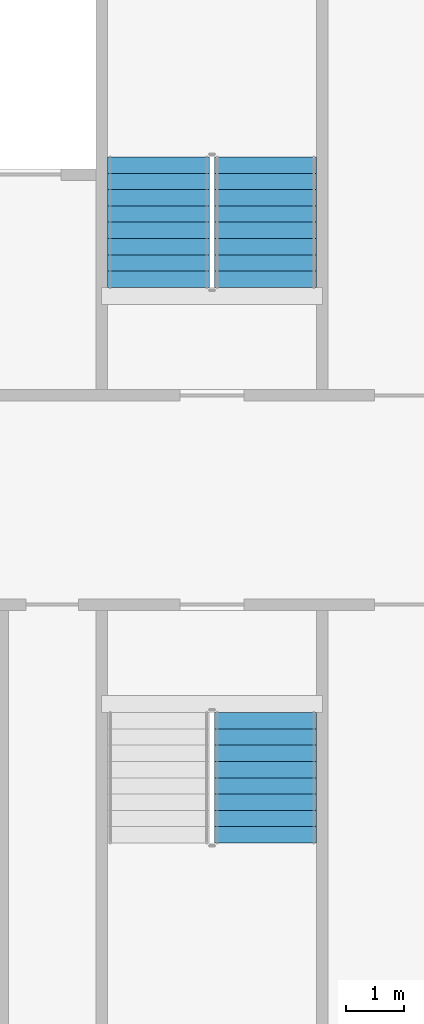
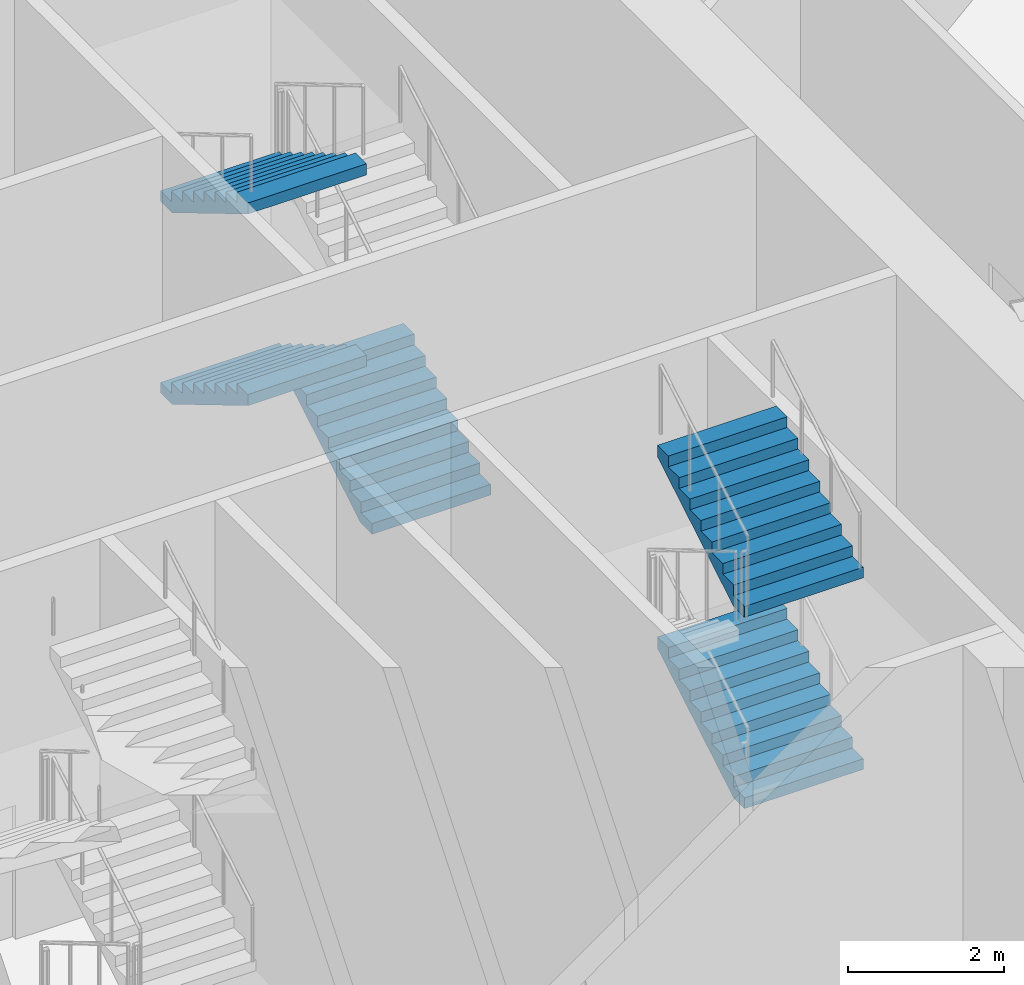
# One storey, part 32 of 39: 5 stair flights, 2 elements without a shape of their own.
"""IFC4 building model written with IfcOpenShell, lengths in metres."""

from ifc_helpers import new_model, si_unit, direction, frame, origin, place, context, subcontext, project, spatial, faceted_brep, material, type_object, element, aggregate, save


model = new_model("IFC4")

# Units and contexts
model_context = context("Model", 3, precision=1e-05, world=origin(), true_north=direction((0.0, 1.0)))
body_context = subcontext(model_context, "Body", "Model", "MODEL_VIEW")
ifc_project = project(units=[si_unit("LENGTHUNIT", "METRE"), si_unit("AREAUNIT", "SQUARE_METRE"), si_unit("VOLUMEUNIT", "CUBIC_METRE"), si_unit("PLANEANGLEUNIT", "RADIAN"), si_unit("MASSUNIT", "GRAM", prefix="KILO")], contexts=[model_context])

# Site, building, storey
site_placement = place(None, origin())
site = spatial("IfcSite", under=ifc_project, at=site_placement, CompositionType="ELEMENT")
building_placement = place(site_placement, origin())
building = spatial("IfcBuilding", under=site, at=building_placement, Name="Tarsis Ring Headquarters", CompositionType="ELEMENT")
storey_placement = place(building_placement, frame((0.0, 0.0, 86.800048828125)))
storey = spatial("IfcBuildingStorey", under=building, at=storey_placement, Name="L19", CompositionType="ELEMENT", Elevation=86.800048828125)

# Stair, stair flights
ifc_material_1 = material(Name="Core stair 1760")
stair_type = type_object("IfcStairType", Name="Core stair 1760", PredefinedType="HALF_TURN_STAIR", material=ifc_material_1)
stair_1_placement = place(storey_placement, origin())
stair_1 = element("IfcStair", 1, at=stair_1_placement, inside=storey, type_object=stair_type, Name="L19 Exit stair B", PredefinedType="HALF_TURN_STAIR")
ifc_material_2 = material(Name="Concrete C40/50", Category="concrete")
stair_flight_type = type_object("IfcStairFlightType", Name="Core stair flight 1760", PredefinedType="STRAIGHT", material=ifc_material_2)
stair_flight_1_placement = place(storey_placement, frame((5.419921875, 3.659912109375, 0.0), z_axis=(0.0, 0.0, 1.0), x_axis=(0.0, 1.0, 0.0)))
stair_flight_1 = element("IfcStairFlight", 2, at=stair_flight_1_placement, type_object=stair_flight_type, Name="Stair ST2 flight 1", NumberOfRisers=9, NumberOfTreads=8, PredefinedType="STRAIGHT", RiserHeight=0.166666667, TreadLength=0.28, context=body_context, shape_type="Brep", body=[
    faceted_brep([(0.0, 0.8798828125, 0.0), (0.0, 0.8798828125, 0.166748046875), (0.280029296875, 0.8798828125, 0.166748046875), (0.280029296875, 0.8798828125, 0.333251953125), (0.56005859375, 0.8798828125, 0.333251953125), (0.56005859375, 0.8798828125, 0.5), (0.840087890625, 0.8798828125, 0.5), (0.840087890625, 0.8798828125, 0.666748046875), (1.1201171875, 0.8798828125, 0.666748046875), (1.1201171875, 0.8798828125, 0.833251953125), (1.39990234375, 0.8798828125, 0.833251953125), (1.39990234375, 0.8798828125, 1.0), (1.679931640625, 0.8798828125, 1.0), (1.679931640625, 0.8798828125, 1.166748046875), (1.9599609375, 0.8798828125, 1.166748046875), (1.9599609375, 0.8798828125, 1.333251953125), (2.239990234375, 0.8798828125, 1.333251953125), (2.239990234375, 0.8798828125, 1.158935546875), (0.29296875, 0.8798828125, 0.0), (0.29296875, -0.8798828125, 0.0), (2.239990234375, -0.8798828125, 1.158935546875), (2.239990234375, -0.8798828125, 1.333251953125), (1.9599609375, -0.8798828125, 1.333251953125), (1.9599609375, -0.8798828125, 1.166748046875), (1.679931640625, -0.8798828125, 1.166748046875), (1.679931640625, -0.8798828125, 1.0), (1.39990234375, -0.8798828125, 1.0), (1.39990234375, -0.8798828125, 0.833251953125), (1.1201171875, -0.8798828125, 0.833251953125), (1.1201171875, -0.8798828125, 0.666748046875), (0.840087890625, -0.8798828125, 0.666748046875), (0.840087890625, -0.8798828125, 0.5), (0.56005859375, -0.8798828125, 0.5), (0.56005859375, -0.8798828125, 0.333251953125), (0.280029296875, -0.8798828125, 0.333251953125), (0.280029296875, -0.8798828125, 0.166748046875), (0.0, -0.8798828125, 0.166748046875), (0.0, -0.8798828125, 0.0), (0.0, -0.43994140625, 0.166748046875), (0.0, -0.43994140625, 0.0), (0.0, 0.0, 0.166748046875), (0.0, 0.0, 0.0), (0.0, 0.43994140625, 0.166748046875), (0.0, 0.43994140625, 0.0), (0.280029296875, -0.43994140625, 0.166748046875), (0.280029296875, 0.0, 0.166748046875), (0.280029296875, 0.43994140625, 0.166748046875), (0.280029296875, -0.43994140625, 0.333251953125), (0.280029296875, 0.0, 0.333251953125), (0.280029296875, 0.43994140625, 0.333251953125), (0.56005859375, -0.43994140625, 0.333251953125), (0.56005859375, 0.0, 0.333251953125), (0.56005859375, 0.43994140625, 0.333251953125), (0.56005859375, -0.43994140625, 0.5), (0.56005859375, 0.0, 0.5), (0.56005859375, 0.43994140625, 0.5), (0.840087890625, -0.43994140625, 0.5), (0.840087890625, 0.0, 0.5), (0.840087890625, 0.43994140625, 0.5), (0.840087890625, -0.43994140625, 0.666748046875), (0.840087890625, 0.0, 0.666748046875), (0.840087890625, 0.43994140625, 0.666748046875), (1.1201171875, -0.43994140625, 0.666748046875), (1.1201171875, 0.0, 0.666748046875), (1.1201171875, 0.43994140625, 0.666748046875), (1.1201171875, -0.43994140625, 0.833251953125), (1.1201171875, 0.0, 0.833251953125), (1.1201171875, 0.43994140625, 0.833251953125), (1.39990234375, -0.43994140625, 0.833251953125), (1.39990234375, 0.0, 0.833251953125), (1.39990234375, 0.43994140625, 0.833251953125), (1.39990234375, -0.43994140625, 1.0), (1.39990234375, 0.0, 1.0), (1.39990234375, 0.43994140625, 1.0), (1.679931640625, -0.43994140625, 1.0), (1.679931640625, 0.0, 1.0), (1.679931640625, 0.43994140625, 1.0), (1.679931640625, -0.43994140625, 1.166748046875), (1.679931640625, 0.0, 1.166748046875), (1.679931640625, 0.43994140625, 1.166748046875), (1.9599609375, -0.43994140625, 1.166748046875), (1.9599609375, 0.0, 1.166748046875), (1.9599609375, 0.43994140625, 1.166748046875), (1.9599609375, -0.43994140625, 1.333251953125), (1.9599609375, 0.0, 1.333251953125), (1.9599609375, 0.43994140625, 1.333251953125), (2.239990234375, -0.43994140625, 1.333251953125), (2.239990234375, 0.0, 1.333251953125), (2.239990234375, 0.43994140625, 1.333251953125), (2.239990234375, -0.43994140625, 1.158935546875), (2.239990234375, 0.0, 1.158935546875), (2.239990234375, 0.43994140625, 1.158935546875), (0.29296875, -0.43994140625, 0.0), (0.29296875, 0.0, 0.0), (0.29296875, 0.43994140625, 0.0)], [[[0, 1, 2, 3, 4, 5, 6, 7, 8, 9, 10, 11, 12, 13, 14, 15, 16, 17, 18]], [[19, 20, 21, 22, 23, 24, 25, 26, 27, 28, 29, 30, 31, 32, 33, 34, 35, 36, 37]], [[37, 36, 38, 39]], [[39, 38, 40, 41]], [[41, 40, 42, 43]], [[43, 42, 1, 0]], [[36, 35, 44, 38]], [[38, 44, 45, 40]], [[40, 45, 46, 42]], [[42, 46, 2, 1]], [[35, 34, 47, 44]], [[44, 47, 48, 45]], [[45, 48, 49, 46]], [[46, 49, 3, 2]], [[34, 33, 50, 47]], [[47, 50, 51, 48]], [[48, 51, 52, 49]], [[49, 52, 4, 3]], [[33, 32, 53, 50]], [[50, 53, 54, 51]], [[51, 54, 55, 52]], [[52, 55, 5, 4]], [[32, 31, 56, 53]], [[53, 56, 57, 54]], [[54, 57, 58, 55]], [[55, 58, 6, 5]], [[31, 30, 59, 56]], [[56, 59, 60, 57]], [[57, 60, 61, 58]], [[58, 61, 7, 6]], [[30, 29, 62, 59]], [[59, 62, 63, 60]], [[60, 63, 64, 61]], [[61, 64, 8, 7]], [[29, 28, 65, 62]], [[62, 65, 66, 63]], [[63, 66, 67, 64]], [[64, 67, 9, 8]], [[28, 27, 68, 65]], [[65, 68, 69, 66]], [[66, 69, 70, 67]], [[67, 70, 10, 9]], [[27, 26, 71, 68]], [[68, 71, 72, 69]], [[69, 72, 73, 70]], [[70, 73, 11, 10]], [[26, 25, 74, 71]], [[71, 74, 75, 72]], [[72, 75, 76, 73]], [[73, 76, 12, 11]], [[25, 24, 77, 74]], [[74, 77, 78, 75]], [[75, 78, 79, 76]], [[76, 79, 13, 12]], [[24, 23, 80, 77]], [[77, 80, 81, 78]], [[78, 81, 82, 79]], [[79, 82, 14, 13]], [[23, 22, 83, 80]], [[80, 83, 84, 81]], [[81, 84, 85, 82]], [[82, 85, 15, 14]], [[22, 21, 86, 83]], [[83, 86, 87, 84]], [[84, 87, 88, 85]], [[85, 88, 16, 15]], [[21, 20, 89, 86]], [[86, 89, 90, 87]], [[87, 90, 91, 88]], [[88, 91, 17, 16]], [[20, 19, 92, 89]], [[89, 92, 93, 90]], [[90, 93, 94, 91]], [[91, 94, 18, 17]], [[19, 37, 39, 92]], [[92, 39, 41, 93]], [[93, 41, 43, 94]], [[94, 43, 0, 18]]]),
])
stair_flight_2_placement = place(storey_placement, frame((3.580078125, 5.89990234375, 1.5), z_axis=(0.0, 0.0, 1.0), x_axis=(0.0, -1.0, 0.0)))
stair_flight_2 = element("IfcStairFlight", 3, at=stair_flight_2_placement, type_object=stair_flight_type, Name="Stair ST2 flight 2", NumberOfRisers=9, NumberOfTreads=8, PredefinedType="STRAIGHT", RiserHeight=0.166666667, TreadLength=0.28, context=body_context, shape_type="Brep", body=[
    faceted_brep([(0.0, 0.8798828125, 0.0), (0.0, 0.8798828125, 0.166748046875), (0.280029296875, 0.8798828125, 0.166748046875), (0.280029296875, 0.8798828125, 0.333251953125), (0.56005859375, 0.8798828125, 0.333251953125), (0.56005859375, 0.8798828125, 0.5), (0.840087890625, 0.8798828125, 0.5), (0.840087890625, 0.8798828125, 0.666748046875), (1.1201171875, 0.8798828125, 0.666748046875), (1.1201171875, 0.8798828125, 0.833251953125), (1.39990234375, 0.8798828125, 0.833251953125), (1.39990234375, 0.8798828125, 1.0), (1.679931640625, 0.8798828125, 1.0), (1.679931640625, 0.8798828125, 1.166748046875), (1.9599609375, 0.8798828125, 1.166748046875), (1.9599609375, 0.8798828125, 1.333251953125), (2.239990234375, 0.8798828125, 1.333251953125), (2.239990234375, 0.8798828125, 1.158935546875), (0.29296875, 0.8798828125, 0.0), (0.29296875, -0.8798828125, 0.0), (2.239990234375, -0.8798828125, 1.158935546875), (2.239990234375, -0.8798828125, 1.333251953125), (1.9599609375, -0.8798828125, 1.333251953125), (1.9599609375, -0.8798828125, 1.166748046875), (1.679931640625, -0.8798828125, 1.166748046875), (1.679931640625, -0.8798828125, 1.0), (1.39990234375, -0.8798828125, 1.0), (1.39990234375, -0.8798828125, 0.833251953125), (1.1201171875, -0.8798828125, 0.833251953125), (1.1201171875, -0.8798828125, 0.666748046875), (0.840087890625, -0.8798828125, 0.666748046875), (0.840087890625, -0.8798828125, 0.5), (0.56005859375, -0.8798828125, 0.5), (0.56005859375, -0.8798828125, 0.333251953125), (0.280029296875, -0.8798828125, 0.333251953125), (0.280029296875, -0.8798828125, 0.166748046875), (0.0, -0.8798828125, 0.166748046875), (0.0, -0.8798828125, 0.0), (0.0, -0.43994140625, 0.166748046875), (0.0, -0.43994140625, 0.0), (0.0, 0.0, 0.166748046875), (0.0, 0.0, 0.0), (0.0, 0.43994140625, 0.166748046875), (0.0, 0.43994140625, 0.0), (0.280029296875, -0.43994140625, 0.166748046875), (0.280029296875, 0.0, 0.166748046875), (0.280029296875, 0.43994140625, 0.166748046875), (0.280029296875, -0.43994140625, 0.333251953125), (0.280029296875, 0.0, 0.333251953125), (0.280029296875, 0.43994140625, 0.333251953125), (0.56005859375, -0.43994140625, 0.333251953125), (0.56005859375, 0.0, 0.333251953125), (0.56005859375, 0.43994140625, 0.333251953125), (0.56005859375, -0.43994140625, 0.5), (0.56005859375, 0.0, 0.5), (0.56005859375, 0.43994140625, 0.5), (0.840087890625, -0.43994140625, 0.5), (0.840087890625, 0.0, 0.5), (0.840087890625, 0.43994140625, 0.5), (0.840087890625, -0.43994140625, 0.666748046875), (0.840087890625, 0.0, 0.666748046875), (0.840087890625, 0.43994140625, 0.666748046875), (1.1201171875, -0.43994140625, 0.666748046875), (1.1201171875, 0.0, 0.666748046875), (1.1201171875, 0.43994140625, 0.666748046875), (1.1201171875, -0.43994140625, 0.833251953125), (1.1201171875, 0.0, 0.833251953125), (1.1201171875, 0.43994140625, 0.833251953125), (1.39990234375, -0.43994140625, 0.833251953125), (1.39990234375, 0.0, 0.833251953125), (1.39990234375, 0.43994140625, 0.833251953125), (1.39990234375, -0.43994140625, 1.0), (1.39990234375, 0.0, 1.0), (1.39990234375, 0.43994140625, 1.0), (1.679931640625, -0.43994140625, 1.0), (1.679931640625, 0.0, 1.0), (1.679931640625, 0.43994140625, 1.0), (1.679931640625, -0.43994140625, 1.166748046875), (1.679931640625, 0.0, 1.166748046875), (1.679931640625, 0.43994140625, 1.166748046875), (1.9599609375, -0.43994140625, 1.166748046875), (1.9599609375, 0.0, 1.166748046875), (1.9599609375, 0.43994140625, 1.166748046875), (1.9599609375, -0.43994140625, 1.333251953125), (1.9599609375, 0.0, 1.333251953125), (1.9599609375, 0.43994140625, 1.333251953125), (2.239990234375, -0.43994140625, 1.333251953125), (2.239990234375, 0.0, 1.333251953125), (2.239990234375, 0.43994140625, 1.333251953125), (2.239990234375, -0.43994140625, 1.158935546875), (2.239990234375, 0.0, 1.158935546875), (2.239990234375, 0.43994140625, 1.158935546875), (0.29296875, -0.43994140625, 0.0), (0.29296875, 0.0, 0.0), (0.29296875, 0.43994140625, 0.0)], [[[0, 1, 2, 3, 4, 5, 6, 7, 8, 9, 10, 11, 12, 13, 14, 15, 16, 17, 18]], [[19, 20, 21, 22, 23, 24, 25, 26, 27, 28, 29, 30, 31, 32, 33, 34, 35, 36, 37]], [[37, 36, 38, 39]], [[39, 38, 40, 41]], [[41, 40, 42, 43]], [[43, 42, 1, 0]], [[36, 35, 44, 38]], [[38, 44, 45, 40]], [[40, 45, 46, 42]], [[42, 46, 2, 1]], [[35, 34, 47, 44]], [[44, 47, 48, 45]], [[45, 48, 49, 46]], [[46, 49, 3, 2]], [[34, 33, 50, 47]], [[47, 50, 51, 48]], [[48, 51, 52, 49]], [[49, 52, 4, 3]], [[33, 32, 53, 50]], [[50, 53, 54, 51]], [[51, 54, 55, 52]], [[52, 55, 5, 4]], [[32, 31, 56, 53]], [[53, 56, 57, 54]], [[54, 57, 58, 55]], [[55, 58, 6, 5]], [[31, 30, 59, 56]], [[56, 59, 60, 57]], [[57, 60, 61, 58]], [[58, 61, 7, 6]], [[30, 29, 62, 59]], [[59, 62, 63, 60]], [[60, 63, 64, 61]], [[61, 64, 8, 7]], [[29, 28, 65, 62]], [[62, 65, 66, 63]], [[63, 66, 67, 64]], [[64, 67, 9, 8]], [[28, 27, 68, 65]], [[65, 68, 69, 66]], [[66, 69, 70, 67]], [[67, 70, 10, 9]], [[27, 26, 71, 68]], [[68, 71, 72, 69]], [[69, 72, 73, 70]], [[70, 73, 11, 10]], [[26, 25, 74, 71]], [[71, 74, 75, 72]], [[72, 75, 76, 73]], [[73, 76, 12, 11]], [[25, 24, 77, 74]], [[74, 77, 78, 75]], [[75, 78, 79, 76]], [[76, 79, 13, 12]], [[24, 23, 80, 77]], [[77, 80, 81, 78]], [[78, 81, 82, 79]], [[79, 82, 14, 13]], [[23, 22, 83, 80]], [[80, 83, 84, 81]], [[81, 84, 85, 82]], [[82, 85, 15, 14]], [[22, 21, 86, 83]], [[83, 86, 87, 84]], [[84, 87, 88, 85]], [[85, 88, 16, 15]], [[21, 20, 89, 86]], [[86, 89, 90, 87]], [[87, 90, 91, 88]], [[88, 91, 17, 16]], [[20, 19, 92, 89]], [[89, 92, 93, 90]], [[90, 93, 94, 91]], [[91, 94, 18, 17]], [[19, 37, 39, 92]], [[92, 39, 41, 93]], [[93, 41, 43, 94]], [[94, 43, 0, 18]]]),
])
stair_flight_3_placement = place(storey_placement, frame((3.580078125, 5.89990234375, 4.5), z_axis=(0.0, 0.0, 1.0), x_axis=(0.0, -1.0, 0.0)))
stair_flight_3 = element("IfcStairFlight", 4, at=stair_flight_3_placement, type_object=stair_flight_type, Name="Stair ST2 flight 4", NumberOfRisers=9, NumberOfTreads=8, PredefinedType="STRAIGHT", RiserHeight=0.166666667, TreadLength=0.28, context=body_context, shape_type="Brep", body=[
    faceted_brep([(0.0, 0.8798828125, 0.0), (0.0, 0.8798828125, 0.166748046875), (0.280029296875, 0.8798828125, 0.166748046875), (0.280029296875, 0.8798828125, 0.333251953125), (0.56005859375, 0.8798828125, 0.333251953125), (0.56005859375, 0.8798828125, 0.5), (0.840087890625, 0.8798828125, 0.5), (0.840087890625, 0.8798828125, 0.666748046875), (1.1201171875, 0.8798828125, 0.666748046875), (1.1201171875, 0.8798828125, 0.833251953125), (1.39990234375, 0.8798828125, 0.833251953125), (1.39990234375, 0.8798828125, 1.0), (1.679931640625, 0.8798828125, 1.0), (1.679931640625, 0.8798828125, 1.166748046875), (1.9599609375, 0.8798828125, 1.166748046875), (1.9599609375, 0.8798828125, 1.333251953125), (2.239990234375, 0.8798828125, 1.333251953125), (2.239990234375, 0.8798828125, 1.158935546875), (0.29296875, 0.8798828125, 0.0), (0.29296875, -0.8798828125, 0.0), (2.239990234375, -0.8798828125, 1.158935546875), (2.239990234375, -0.8798828125, 1.333251953125), (1.9599609375, -0.8798828125, 1.333251953125), (1.9599609375, -0.8798828125, 1.166748046875), (1.679931640625, -0.8798828125, 1.166748046875), (1.679931640625, -0.8798828125, 1.0), (1.39990234375, -0.8798828125, 1.0), (1.39990234375, -0.8798828125, 0.833251953125), (1.1201171875, -0.8798828125, 0.833251953125), (1.1201171875, -0.8798828125, 0.666748046875), (0.840087890625, -0.8798828125, 0.666748046875), (0.840087890625, -0.8798828125, 0.5), (0.56005859375, -0.8798828125, 0.5), (0.56005859375, -0.8798828125, 0.333251953125), (0.280029296875, -0.8798828125, 0.333251953125), (0.280029296875, -0.8798828125, 0.166748046875), (0.0, -0.8798828125, 0.166748046875), (0.0, -0.8798828125, 0.0), (0.0, -0.43994140625, 0.166748046875), (0.0, -0.43994140625, 0.0), (0.0, 0.0, 0.166748046875), (0.0, 0.0, 0.0), (0.0, 0.43994140625, 0.166748046875), (0.0, 0.43994140625, 0.0), (0.280029296875, -0.43994140625, 0.166748046875), (0.280029296875, 0.0, 0.166748046875), (0.280029296875, 0.43994140625, 0.166748046875), (0.280029296875, -0.43994140625, 0.333251953125), (0.280029296875, 0.0, 0.333251953125), (0.280029296875, 0.43994140625, 0.333251953125), (0.56005859375, -0.43994140625, 0.333251953125), (0.56005859375, 0.0, 0.333251953125), (0.56005859375, 0.43994140625, 0.333251953125), (0.56005859375, -0.43994140625, 0.5), (0.56005859375, 0.0, 0.5), (0.56005859375, 0.43994140625, 0.5), (0.840087890625, -0.43994140625, 0.5), (0.840087890625, 0.0, 0.5), (0.840087890625, 0.43994140625, 0.5), (0.840087890625, -0.43994140625, 0.666748046875), (0.840087890625, 0.0, 0.666748046875), (0.840087890625, 0.43994140625, 0.666748046875), (1.1201171875, -0.43994140625, 0.666748046875), (1.1201171875, 0.0, 0.666748046875), (1.1201171875, 0.43994140625, 0.666748046875), (1.1201171875, -0.43994140625, 0.833251953125), (1.1201171875, 0.0, 0.833251953125), (1.1201171875, 0.43994140625, 0.833251953125), (1.39990234375, -0.43994140625, 0.833251953125), (1.39990234375, 0.0, 0.833251953125), (1.39990234375, 0.43994140625, 0.833251953125), (1.39990234375, -0.43994140625, 1.0), (1.39990234375, 0.0, 1.0), (1.39990234375, 0.43994140625, 1.0), (1.679931640625, -0.43994140625, 1.0), (1.679931640625, 0.0, 1.0), (1.679931640625, 0.43994140625, 1.0), (1.679931640625, -0.43994140625, 1.166748046875), (1.679931640625, 0.0, 1.166748046875), (1.679931640625, 0.43994140625, 1.166748046875), (1.9599609375, -0.43994140625, 1.166748046875), (1.9599609375, 0.0, 1.166748046875), (1.9599609375, 0.43994140625, 1.166748046875), (1.9599609375, -0.43994140625, 1.333251953125), (1.9599609375, 0.0, 1.333251953125), (1.9599609375, 0.43994140625, 1.333251953125), (2.239990234375, -0.43994140625, 1.333251953125), (2.239990234375, 0.0, 1.333251953125), (2.239990234375, 0.43994140625, 1.333251953125), (2.239990234375, -0.43994140625, 1.158935546875), (2.239990234375, 0.0, 1.158935546875), (2.239990234375, 0.43994140625, 1.158935546875), (0.29296875, -0.43994140625, 0.0), (0.29296875, 0.0, 0.0), (0.29296875, 0.43994140625, 0.0)], [[[0, 1, 2, 3, 4, 5, 6, 7, 8, 9, 10, 11, 12, 13, 14, 15, 16, 17, 18]], [[19, 20, 21, 22, 23, 24, 25, 26, 27, 28, 29, 30, 31, 32, 33, 34, 35, 36, 37]], [[37, 36, 38, 39]], [[39, 38, 40, 41]], [[41, 40, 42, 43]], [[43, 42, 1, 0]], [[36, 35, 44, 38]], [[38, 44, 45, 40]], [[40, 45, 46, 42]], [[42, 46, 2, 1]], [[35, 34, 47, 44]], [[44, 47, 48, 45]], [[45, 48, 49, 46]], [[46, 49, 3, 2]], [[34, 33, 50, 47]], [[47, 50, 51, 48]], [[48, 51, 52, 49]], [[49, 52, 4, 3]], [[33, 32, 53, 50]], [[50, 53, 54, 51]], [[51, 54, 55, 52]], [[52, 55, 5, 4]], [[32, 31, 56, 53]], [[53, 56, 57, 54]], [[54, 57, 58, 55]], [[55, 58, 6, 5]], [[31, 30, 59, 56]], [[56, 59, 60, 57]], [[57, 60, 61, 58]], [[58, 61, 7, 6]], [[30, 29, 62, 59]], [[59, 62, 63, 60]], [[60, 63, 64, 61]], [[61, 64, 8, 7]], [[29, 28, 65, 62]], [[62, 65, 66, 63]], [[63, 66, 67, 64]], [[64, 67, 9, 8]], [[28, 27, 68, 65]], [[65, 68, 69, 66]], [[66, 69, 70, 67]], [[67, 70, 10, 9]], [[27, 26, 71, 68]], [[68, 71, 72, 69]], [[69, 72, 73, 70]], [[70, 73, 11, 10]], [[26, 25, 74, 71]], [[71, 74, 75, 72]], [[72, 75, 76, 73]], [[73, 76, 12, 11]], [[25, 24, 77, 74]], [[74, 77, 78, 75]], [[75, 78, 79, 76]], [[76, 79, 13, 12]], [[24, 23, 80, 77]], [[77, 80, 81, 78]], [[78, 81, 82, 79]], [[79, 82, 14, 13]], [[23, 22, 83, 80]], [[80, 83, 84, 81]], [[81, 84, 85, 82]], [[82, 85, 15, 14]], [[22, 21, 86, 83]], [[83, 86, 87, 84]], [[84, 87, 88, 85]], [[85, 88, 16, 15]], [[21, 20, 89, 86]], [[86, 89, 90, 87]], [[87, 90, 91, 88]], [[88, 91, 17, 16]], [[20, 19, 92, 89]], [[89, 92, 93, 90]], [[90, 93, 94, 91]], [[91, 94, 18, 17]], [[19, 37, 39, 92]], [[92, 39, 41, 93]], [[93, 41, 43, 94]], [[94, 43, 0, 18]]]),
])
aggregate(stair_1, [stair_flight_1, stair_flight_2, stair_flight_3])

stair_2_placement = place(storey_placement, origin())
stair_2 = element("IfcStair", 5, at=stair_2_placement, inside=storey, type_object=stair_type, Name="L19 Exit stair D", PredefinedType="HALF_TURN_STAIR")
stair_flight_4_placement = place(storey_placement, frame((5.419921875, -5.89990234375, 1.5), z_axis=(0.0, 0.0, 1.0), x_axis=(0.0, 1.0, 0.0)))
stair_flight_4 = element("IfcStairFlight", 6, at=stair_flight_4_placement, type_object=stair_flight_type, Name="Stair ST4 flight 2", NumberOfRisers=9, NumberOfTreads=8, PredefinedType="STRAIGHT", RiserHeight=0.166666667, TreadLength=0.28, context=body_context, shape_type="Brep", body=[
    faceted_brep([(0.0, 0.8798828125, 0.0), (0.0, 0.8798828125, 0.166748046875), (0.280029296875, 0.8798828125, 0.166748046875), (0.280029296875, 0.8798828125, 0.333251953125), (0.56005859375, 0.8798828125, 0.333251953125), (0.56005859375, 0.8798828125, 0.5), (0.840087890625, 0.8798828125, 0.5), (0.840087890625, 0.8798828125, 0.666748046875), (1.1201171875, 0.8798828125, 0.666748046875), (1.1201171875, 0.8798828125, 0.833251953125), (1.39990234375, 0.8798828125, 0.833251953125), (1.39990234375, 0.8798828125, 1.0), (1.679931640625, 0.8798828125, 1.0), (1.679931640625, 0.8798828125, 1.166748046875), (1.9599609375, 0.8798828125, 1.166748046875), (1.9599609375, 0.8798828125, 1.333251953125), (2.239990234375, 0.8798828125, 1.333251953125), (2.239990234375, 0.8798828125, 1.158935546875), (0.29296875, 0.8798828125, 0.0), (0.29296875, -0.8798828125, 0.0), (2.239990234375, -0.8798828125, 1.158935546875), (2.239990234375, -0.8798828125, 1.333251953125), (1.9599609375, -0.8798828125, 1.333251953125), (1.9599609375, -0.8798828125, 1.166748046875), (1.679931640625, -0.8798828125, 1.166748046875), (1.679931640625, -0.8798828125, 1.0), (1.39990234375, -0.8798828125, 1.0), (1.39990234375, -0.8798828125, 0.833251953125), (1.1201171875, -0.8798828125, 0.833251953125), (1.1201171875, -0.8798828125, 0.666748046875), (0.840087890625, -0.8798828125, 0.666748046875), (0.840087890625, -0.8798828125, 0.5), (0.56005859375, -0.8798828125, 0.5), (0.56005859375, -0.8798828125, 0.333251953125), (0.280029296875, -0.8798828125, 0.333251953125), (0.280029296875, -0.8798828125, 0.166748046875), (0.0, -0.8798828125, 0.166748046875), (0.0, -0.8798828125, 0.0), (0.0, -0.43994140625, 0.166748046875), (0.0, -0.43994140625, 0.0), (0.0, 0.0, 0.166748046875), (0.0, 0.0, 0.0), (0.0, 0.43994140625, 0.166748046875), (0.0, 0.43994140625, 0.0), (0.280029296875, -0.43994140625, 0.166748046875), (0.280029296875, 0.0, 0.166748046875), (0.280029296875, 0.43994140625, 0.166748046875), (0.280029296875, -0.43994140625, 0.333251953125), (0.280029296875, 0.0, 0.333251953125), (0.280029296875, 0.43994140625, 0.333251953125), (0.56005859375, -0.43994140625, 0.333251953125), (0.56005859375, 0.0, 0.333251953125), (0.56005859375, 0.43994140625, 0.333251953125), (0.56005859375, -0.43994140625, 0.5), (0.56005859375, 0.0, 0.5), (0.56005859375, 0.43994140625, 0.5), (0.840087890625, -0.43994140625, 0.5), (0.840087890625, 0.0, 0.5), (0.840087890625, 0.43994140625, 0.5), (0.840087890625, -0.43994140625, 0.666748046875), (0.840087890625, 0.0, 0.666748046875), (0.840087890625, 0.43994140625, 0.666748046875), (1.1201171875, -0.43994140625, 0.666748046875), (1.1201171875, 0.0, 0.666748046875), (1.1201171875, 0.43994140625, 0.666748046875), (1.1201171875, -0.43994140625, 0.833251953125), (1.1201171875, 0.0, 0.833251953125), (1.1201171875, 0.43994140625, 0.833251953125), (1.39990234375, -0.43994140625, 0.833251953125), (1.39990234375, 0.0, 0.833251953125), (1.39990234375, 0.43994140625, 0.833251953125), (1.39990234375, -0.43994140625, 1.0), (1.39990234375, 0.0, 1.0), (1.39990234375, 0.43994140625, 1.0), (1.679931640625, -0.43994140625, 1.0), (1.679931640625, 0.0, 1.0), (1.679931640625, 0.43994140625, 1.0), (1.679931640625, -0.43994140625, 1.166748046875), (1.679931640625, 0.0, 1.166748046875), (1.679931640625, 0.43994140625, 1.166748046875), (1.9599609375, -0.43994140625, 1.166748046875), (1.9599609375, 0.0, 1.166748046875), (1.9599609375, 0.43994140625, 1.166748046875), (1.9599609375, -0.43994140625, 1.333251953125), (1.9599609375, 0.0, 1.333251953125), (1.9599609375, 0.43994140625, 1.333251953125), (2.239990234375, -0.43994140625, 1.333251953125), (2.239990234375, 0.0, 1.333251953125), (2.239990234375, 0.43994140625, 1.333251953125), (2.239990234375, -0.43994140625, 1.158935546875), (2.239990234375, 0.0, 1.158935546875), (2.239990234375, 0.43994140625, 1.158935546875), (0.29296875, -0.43994140625, 0.0), (0.29296875, 0.0, 0.0), (0.29296875, 0.43994140625, 0.0)], [[[0, 1, 2, 3, 4, 5, 6, 7, 8, 9, 10, 11, 12, 13, 14, 15, 16, 17, 18]], [[19, 20, 21, 22, 23, 24, 25, 26, 27, 28, 29, 30, 31, 32, 33, 34, 35, 36, 37]], [[37, 36, 38, 39]], [[39, 38, 40, 41]], [[41, 40, 42, 43]], [[43, 42, 1, 0]], [[36, 35, 44, 38]], [[38, 44, 45, 40]], [[40, 45, 46, 42]], [[42, 46, 2, 1]], [[35, 34, 47, 44]], [[44, 47, 48, 45]], [[45, 48, 49, 46]], [[46, 49, 3, 2]], [[34, 33, 50, 47]], [[47, 50, 51, 48]], [[48, 51, 52, 49]], [[49, 52, 4, 3]], [[33, 32, 53, 50]], [[50, 53, 54, 51]], [[51, 54, 55, 52]], [[52, 55, 5, 4]], [[32, 31, 56, 53]], [[53, 56, 57, 54]], [[54, 57, 58, 55]], [[55, 58, 6, 5]], [[31, 30, 59, 56]], [[56, 59, 60, 57]], [[57, 60, 61, 58]], [[58, 61, 7, 6]], [[30, 29, 62, 59]], [[59, 62, 63, 60]], [[60, 63, 64, 61]], [[61, 64, 8, 7]], [[29, 28, 65, 62]], [[62, 65, 66, 63]], [[63, 66, 67, 64]], [[64, 67, 9, 8]], [[28, 27, 68, 65]], [[65, 68, 69, 66]], [[66, 69, 70, 67]], [[67, 70, 10, 9]], [[27, 26, 71, 68]], [[68, 71, 72, 69]], [[69, 72, 73, 70]], [[70, 73, 11, 10]], [[26, 25, 74, 71]], [[71, 74, 75, 72]], [[72, 75, 76, 73]], [[73, 76, 12, 11]], [[25, 24, 77, 74]], [[74, 77, 78, 75]], [[75, 78, 79, 76]], [[76, 79, 13, 12]], [[24, 23, 80, 77]], [[77, 80, 81, 78]], [[78, 81, 82, 79]], [[79, 82, 14, 13]], [[23, 22, 83, 80]], [[80, 83, 84, 81]], [[81, 84, 85, 82]], [[82, 85, 15, 14]], [[22, 21, 86, 83]], [[83, 86, 87, 84]], [[84, 87, 88, 85]], [[85, 88, 16, 15]], [[21, 20, 89, 86]], [[86, 89, 90, 87]], [[87, 90, 91, 88]], [[88, 91, 17, 16]], [[20, 19, 92, 89]], [[89, 92, 93, 90]], [[90, 93, 94, 91]], [[91, 94, 18, 17]], [[19, 37, 39, 92]], [[92, 39, 41, 93]], [[93, 41, 43, 94]], [[94, 43, 0, 18]]]),
])
stair_flight_5_placement = place(storey_placement, frame((5.419921875, -5.89990234375, 4.5), z_axis=(0.0, 0.0, 1.0), x_axis=(0.0, 1.0, 0.0)))
stair_flight_5 = element("IfcStairFlight", 7, at=stair_flight_5_placement, type_object=stair_flight_type, Name="Stair ST4 flight 4", NumberOfRisers=9, NumberOfTreads=8, PredefinedType="STRAIGHT", RiserHeight=0.166666667, TreadLength=0.28, context=body_context, shape_type="Brep", body=[
    faceted_brep([(0.0, 0.8798828125, 0.0), (0.0, 0.8798828125, 0.166748046875), (0.280029296875, 0.8798828125, 0.166748046875), (0.280029296875, 0.8798828125, 0.333251953125), (0.56005859375, 0.8798828125, 0.333251953125), (0.56005859375, 0.8798828125, 0.5), (0.840087890625, 0.8798828125, 0.5), (0.840087890625, 0.8798828125, 0.666748046875), (1.1201171875, 0.8798828125, 0.666748046875), (1.1201171875, 0.8798828125, 0.833251953125), (1.39990234375, 0.8798828125, 0.833251953125), (1.39990234375, 0.8798828125, 1.0), (1.679931640625, 0.8798828125, 1.0), (1.679931640625, 0.8798828125, 1.166748046875), (1.9599609375, 0.8798828125, 1.166748046875), (1.9599609375, 0.8798828125, 1.333251953125), (2.239990234375, 0.8798828125, 1.333251953125), (2.239990234375, 0.8798828125, 1.158935546875), (0.29296875, 0.8798828125, 0.0), (0.29296875, -0.8798828125, 0.0), (2.239990234375, -0.8798828125, 1.158935546875), (2.239990234375, -0.8798828125, 1.333251953125), (1.9599609375, -0.8798828125, 1.333251953125), (1.9599609375, -0.8798828125, 1.166748046875), (1.679931640625, -0.8798828125, 1.166748046875), (1.679931640625, -0.8798828125, 1.0), (1.39990234375, -0.8798828125, 1.0), (1.39990234375, -0.8798828125, 0.833251953125), (1.1201171875, -0.8798828125, 0.833251953125), (1.1201171875, -0.8798828125, 0.666748046875), (0.840087890625, -0.8798828125, 0.666748046875), (0.840087890625, -0.8798828125, 0.5), (0.56005859375, -0.8798828125, 0.5), (0.56005859375, -0.8798828125, 0.333251953125), (0.280029296875, -0.8798828125, 0.333251953125), (0.280029296875, -0.8798828125, 0.166748046875), (0.0, -0.8798828125, 0.166748046875), (0.0, -0.8798828125, 0.0), (0.0, -0.43994140625, 0.166748046875), (0.0, -0.43994140625, 0.0), (0.0, 0.0, 0.166748046875), (0.0, 0.0, 0.0), (0.0, 0.43994140625, 0.166748046875), (0.0, 0.43994140625, 0.0), (0.280029296875, -0.43994140625, 0.166748046875), (0.280029296875, 0.0, 0.166748046875), (0.280029296875, 0.43994140625, 0.166748046875), (0.280029296875, -0.43994140625, 0.333251953125), (0.280029296875, 0.0, 0.333251953125), (0.280029296875, 0.43994140625, 0.333251953125), (0.56005859375, -0.43994140625, 0.333251953125), (0.56005859375, 0.0, 0.333251953125), (0.56005859375, 0.43994140625, 0.333251953125), (0.56005859375, -0.43994140625, 0.5), (0.56005859375, 0.0, 0.5), (0.56005859375, 0.43994140625, 0.5), (0.840087890625, -0.43994140625, 0.5), (0.840087890625, 0.0, 0.5), (0.840087890625, 0.43994140625, 0.5), (0.840087890625, -0.43994140625, 0.666748046875), (0.840087890625, 0.0, 0.666748046875), (0.840087890625, 0.43994140625, 0.666748046875), (1.1201171875, -0.43994140625, 0.666748046875), (1.1201171875, 0.0, 0.666748046875), (1.1201171875, 0.43994140625, 0.666748046875), (1.1201171875, -0.43994140625, 0.833251953125), (1.1201171875, 0.0, 0.833251953125), (1.1201171875, 0.43994140625, 0.833251953125), (1.39990234375, -0.43994140625, 0.833251953125), (1.39990234375, 0.0, 0.833251953125), (1.39990234375, 0.43994140625, 0.833251953125), (1.39990234375, -0.43994140625, 1.0), (1.39990234375, 0.0, 1.0), (1.39990234375, 0.43994140625, 1.0), (1.679931640625, -0.43994140625, 1.0), (1.679931640625, 0.0, 1.0), (1.679931640625, 0.43994140625, 1.0), (1.679931640625, -0.43994140625, 1.166748046875), (1.679931640625, 0.0, 1.166748046875), (1.679931640625, 0.43994140625, 1.166748046875), (1.9599609375, -0.43994140625, 1.166748046875), (1.9599609375, 0.0, 1.166748046875), (1.9599609375, 0.43994140625, 1.166748046875), (1.9599609375, -0.43994140625, 1.333251953125), (1.9599609375, 0.0, 1.333251953125), (1.9599609375, 0.43994140625, 1.333251953125), (2.239990234375, -0.43994140625, 1.333251953125), (2.239990234375, 0.0, 1.333251953125), (2.239990234375, 0.43994140625, 1.333251953125), (2.239990234375, -0.43994140625, 1.158935546875), (2.239990234375, 0.0, 1.158935546875), (2.239990234375, 0.43994140625, 1.158935546875), (0.29296875, -0.43994140625, 0.0), (0.29296875, 0.0, 0.0), (0.29296875, 0.43994140625, 0.0)], [[[0, 1, 2, 3, 4, 5, 6, 7, 8, 9, 10, 11, 12, 13, 14, 15, 16, 17, 18]], [[19, 20, 21, 22, 23, 24, 25, 26, 27, 28, 29, 30, 31, 32, 33, 34, 35, 36, 37]], [[37, 36, 38, 39]], [[39, 38, 40, 41]], [[41, 40, 42, 43]], [[43, 42, 1, 0]], [[36, 35, 44, 38]], [[38, 44, 45, 40]], [[40, 45, 46, 42]], [[42, 46, 2, 1]], [[35, 34, 47, 44]], [[44, 47, 48, 45]], [[45, 48, 49, 46]], [[46, 49, 3, 2]], [[34, 33, 50, 47]], [[47, 50, 51, 48]], [[48, 51, 52, 49]], [[49, 52, 4, 3]], [[33, 32, 53, 50]], [[50, 53, 54, 51]], [[51, 54, 55, 52]], [[52, 55, 5, 4]], [[32, 31, 56, 53]], [[53, 56, 57, 54]], [[54, 57, 58, 55]], [[55, 58, 6, 5]], [[31, 30, 59, 56]], [[56, 59, 60, 57]], [[57, 60, 61, 58]], [[58, 61, 7, 6]], [[30, 29, 62, 59]], [[59, 62, 63, 60]], [[60, 63, 64, 61]], [[61, 64, 8, 7]], [[29, 28, 65, 62]], [[62, 65, 66, 63]], [[63, 66, 67, 64]], [[64, 67, 9, 8]], [[28, 27, 68, 65]], [[65, 68, 69, 66]], [[66, 69, 70, 67]], [[67, 70, 10, 9]], [[27, 26, 71, 68]], [[68, 71, 72, 69]], [[69, 72, 73, 70]], [[70, 73, 11, 10]], [[26, 25, 74, 71]], [[71, 74, 75, 72]], [[72, 75, 76, 73]], [[73, 76, 12, 11]], [[25, 24, 77, 74]], [[74, 77, 78, 75]], [[75, 78, 79, 76]], [[76, 79, 13, 12]], [[24, 23, 80, 77]], [[77, 80, 81, 78]], [[78, 81, 82, 79]], [[79, 82, 14, 13]], [[23, 22, 83, 80]], [[80, 83, 84, 81]], [[81, 84, 85, 82]], [[82, 85, 15, 14]], [[22, 21, 86, 83]], [[83, 86, 87, 84]], [[84, 87, 88, 85]], [[85, 88, 16, 15]], [[21, 20, 89, 86]], [[86, 89, 90, 87]], [[87, 90, 91, 88]], [[88, 91, 17, 16]], [[20, 19, 92, 89]], [[89, 92, 93, 90]], [[90, 93, 94, 91]], [[91, 94, 18, 17]], [[19, 37, 39, 92]], [[92, 39, 41, 93]], [[93, 41, 43, 94]], [[94, 43, 0, 18]]]),
])
aggregate(stair_2, [stair_flight_4, stair_flight_5])

save(model, "model.ifc")
